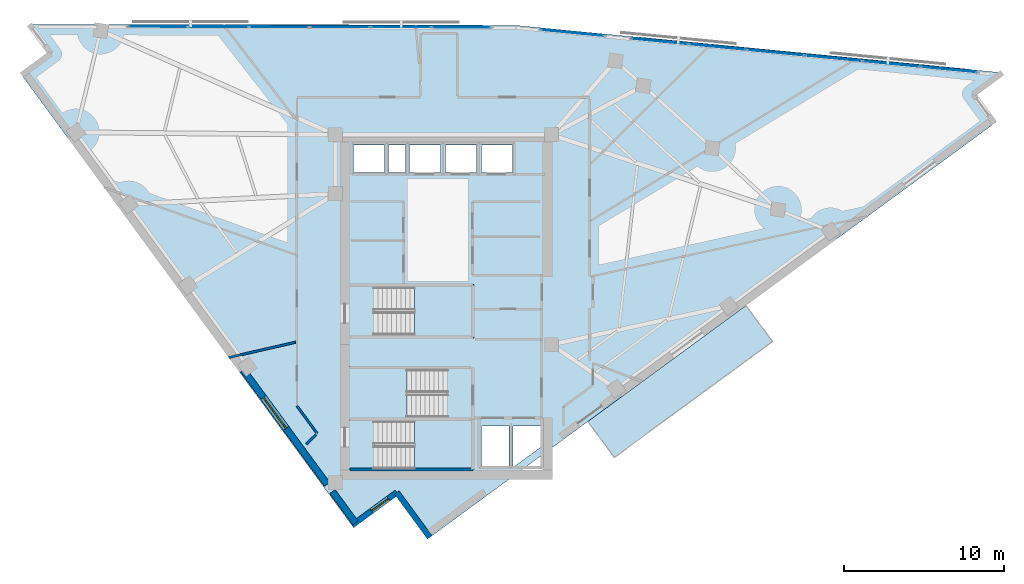
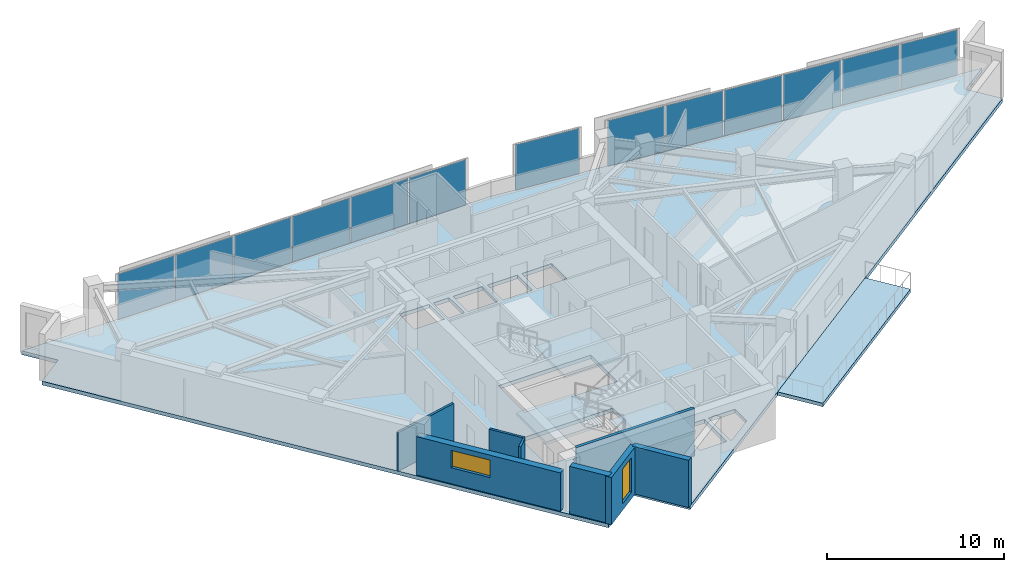
# One storey, part 7 of 13: 15 plates, 8 walls, 5 slabs, 2 windows, 2 openings, 6 elements without a shape of their own.
"""IFC4 building model written with IfcOpenShell, lengths in metres."""

from ifc_helpers import new_model, si_unit, direction, frame, frame_2d, origin, origin_2d, place, context, subcontext, project, spatial, polyline, rectangle, outline, extrude, material, layer, layer_set, type_object, element, fill, aggregate, save


model = new_model("IFC4")

# Units and contexts
model_context = context("Model", 3, precision=1e-05, world=origin(), true_north=direction((0.0, 1.0)))
body_context = subcontext(model_context, "Body", "Model", "MODEL_VIEW")
ifc_project = project(units=[si_unit("LENGTHUNIT", "METRE"), si_unit("AREAUNIT", "SQUARE_METRE"), si_unit("VOLUMEUNIT", "CUBIC_METRE"), si_unit("PLANEANGLEUNIT", "RADIAN"), si_unit("MASSUNIT", "GRAM", prefix="KILO")], contexts=[model_context])

# Site, building, storey
site_placement = place(None, origin())
site = spatial("IfcSite", under=ifc_project, at=site_placement, CompositionType="ELEMENT")
building_placement = place(site_placement, origin())
building = spatial("IfcBuilding", under=site, at=building_placement, Name="Narakoshi Arena Tower", CompositionType="ELEMENT")
storey_placement = place(building_placement, frame((0.0, 0.0, 232.580078125)))
storey = spatial("IfcBuildingStorey", under=building, at=storey_placement, Name="L63", CompositionType="ELEMENT", Elevation=232.580078125)

# Curtain wall, plates
ifc_material_1 = material(Name="Anodised bronze aluminium 6063-T6", Category="aluminium")
curtain_wall_type = type_object("IfcCurtainWallType", Name="CW-HYP-HIGH", PredefinedType="NOTDEFINED", material=ifc_material_1)
curtain_wall_1_placement = place(storey_placement, origin())
curtain_wall_1 = element("IfcCurtainWall", 1, at=curtain_wall_1_placement, inside=storey, type_object=curtain_wall_type, Name="L63 Folded Hypotenuse Curtain Wall 1-1", PredefinedType="NOTDEFINED")
ifc_material_2 = material(Name="Bronze-tinted low-E laminated glass", Category="glass")
ifc_layer_1 = layer(ifc_material_2, 0.0439453125)
ifc_layer_set_1 = layer_set([ifc_layer_1], Name="Bronze-tinted low-E laminated glass")
plate_type_1 = type_object("IfcPlateType", Name="PLT-GLZ-44", PredefinedType="CURTAIN_PANEL", material=ifc_layer_set_1)
plate_1_placement = place(storey_placement, frame((110.45458984375, 60.593505859375, 0.06494140625), z_axis=(0.0, 0.0, 1.0), x_axis=(-0.995298860454, 0.096851320996, 0.0)))
plate_1 = element("IfcPlate", 2, at=plate_1_placement, type_object=plate_type_1, Name="CW-03 panel 1.1", PredefinedType="CURTAIN_PANEL", context=body_context, shape_type="SweptSolid", body=[
    extrude(rectangle(XDim=3.52880859375, YDim=0.0439453125, at=origin_2d()), origin(), (0.0, 0.0, 1.0), 3.1298828125),
])
plate_2_placement = place(storey_placement, frame((106.8427734375, 60.945068359375, 0.06494140625), z_axis=(0.0, 0.0, 1.0), x_axis=(-0.995298860454, 0.096851320996, 0.0)))
plate_2 = element("IfcPlate", 3, at=plate_2_placement, type_object=plate_type_1, Name="CW-03 panel 2.1", PredefinedType="CURTAIN_PANEL", context=body_context, shape_type="SweptSolid", body=[
    extrude(rectangle(XDim=3.568603515625, YDim=0.0439453125, at=origin_2d()), origin(), (0.0, 0.0, 1.0), 3.1298828125),
])
plate_3_placement = place(storey_placement, frame((103.211181640625, 61.29833984375, 0.06494140625), z_axis=(0.0, 0.0, 1.0), x_axis=(-0.995298860454, 0.096851320996, 0.0)))
plate_3 = element("IfcPlate", 4, at=plate_3_placement, type_object=plate_type_1, Name="CW-03 panel 3.1", PredefinedType="CURTAIN_PANEL", context=body_context, shape_type="SweptSolid", body=[
    extrude(rectangle(XDim=3.568603515625, YDim=0.0439453125, at=origin_2d()), origin(), (0.0, 0.0, 1.0), 3.1298828125),
])
plate_4_placement = place(storey_placement, frame((99.579833984375, 61.65185546875, 0.06494140625), z_axis=(0.0, 0.0, 1.0), x_axis=(-0.995298860454, 0.096851320996, 0.0)))
plate_4 = element("IfcPlate", 5, at=plate_4_placement, type_object=plate_type_1, Name="CW-03 panel 4.1", PredefinedType="CURTAIN_PANEL", context=body_context, shape_type="SweptSolid", body=[
    extrude(rectangle(XDim=3.568603515625, YDim=0.0439453125, at=origin_2d()), origin(), (0.0, 0.0, 1.0), 3.1298828125),
])
plate_5_placement = place(storey_placement, frame((95.9482421875, 62.005126953125, 0.06494140625), z_axis=(0.0, 0.0, 1.0), x_axis=(-0.995298860454, 0.096851320996, 0.0)))
plate_5 = element("IfcPlate", 6, at=plate_5_placement, type_object=plate_type_1, Name="CW-03 panel 5.1", PredefinedType="CURTAIN_PANEL", context=body_context, shape_type="SweptSolid", body=[
    extrude(rectangle(XDim=3.568603515625, YDim=0.0439453125, at=origin_2d()), origin(), (0.0, 0.0, 1.0), 3.1298828125),
])
plate_6_placement = place(storey_placement, frame((92.33642578125, 62.356689453125, 0.06494140625), z_axis=(0.0, 0.0, 1.0), x_axis=(-0.995298860454, 0.096851320996, 0.0)))
plate_6 = element("IfcPlate", 7, at=plate_6_placement, type_object=plate_type_1, Name="CW-03 panel 6.1", PredefinedType="CURTAIN_PANEL", context=body_context, shape_type="SweptSolid", body=[
    extrude(rectangle(XDim=3.52880859375, YDim=0.0439453125, at=origin_2d()), origin(), (0.0, 0.0, 1.0), 3.1298828125),
])
aggregate(curtain_wall_1, [plate_1, plate_2, plate_3, plate_4, plate_5, plate_6])

# Curtain wall, plate
curtain_wall_2_placement = place(storey_placement, origin())
curtain_wall_2 = element("IfcCurtainWall", 8, at=curtain_wall_2_placement, inside=storey, type_object=curtain_wall_type, Name="L63 Folded Hypotenuse Curtain Wall 1-2", PredefinedType="NOTDEFINED")
plate_7_placement = place(storey_placement, frame((86.862060546875, 62.889404296875, 0.06494140625), z_axis=(0.0, 0.0, 1.0), x_axis=(-0.995299683896, 0.096842858471, 0.0)))
plate_7 = element("IfcPlate", 9, at=plate_7_placement, type_object=plate_type_1, Name="CW-03 panel 1.1", PredefinedType="CURTAIN_PANEL", context=body_context, shape_type="SweptSolid", body=[
    extrude(rectangle(XDim=3.9560546875, YDim=0.0439453125, at=origin_2d()), origin(), (0.0, 0.0, 1.0), 3.1298828125),
])
aggregate(curtain_wall_2, [plate_7])

# Curtain wall, plates
curtain_wall_3_placement = place(storey_placement, origin())
curtain_wall_3 = element("IfcCurtainWall", 10, at=curtain_wall_3_placement, inside=storey, type_object=curtain_wall_type, Name="L63 Folded Hypotenuse Curtain Wall 2-1", PredefinedType="NOTDEFINED")
plate_8_placement = place(storey_placement, frame((79.907470703125, 63.239501953125, 0.06494140625), z_axis=(0.0, 0.0, 1.0), x_axis=(-0.999998343986, 0.001819896899, 0.0)))
plate_8 = element("IfcPlate", 11, at=plate_8_placement, type_object=plate_type_1, Name="CW-03 panel 1.1", PredefinedType="CURTAIN_PANEL", context=body_context, shape_type="SweptSolid", body=[
    extrude(rectangle(XDim=3.689697265625, YDim=0.0439453125, at=origin_2d()), origin(), (0.0, 0.0, 1.0), 3.1298828125),
])
plate_9_placement = place(storey_placement, frame((76.11767578125, 63.246337890625, 0.06494140625), z_axis=(0.0, 0.0, 1.0), x_axis=(-0.999998343986, 0.001819896899, 0.0)))
plate_9 = element("IfcPlate", 12, at=plate_9_placement, type_object=plate_type_1, Name="CW-03 panel 2.1", PredefinedType="CURTAIN_PANEL", context=body_context, shape_type="SweptSolid", body=[
    extrude(rectangle(XDim=3.729736328125, YDim=0.0439453125, at=origin_2d()), origin(), (0.0, 0.0, 1.0), 3.1298828125),
])
plate_10_placement = place(storey_placement, frame((72.307861328125, 63.25341796875, 0.06494140625), z_axis=(0.0, 0.0, 1.0), x_axis=(-0.999998343986, 0.001819896899, 0.0)))
plate_10 = element("IfcPlate", 13, at=plate_10_placement, type_object=plate_type_1, Name="CW-03 panel 3.1", PredefinedType="CURTAIN_PANEL", context=body_context, shape_type="SweptSolid", body=[
    extrude(rectangle(XDim=3.729736328125, YDim=0.0439453125, at=origin_2d()), origin(), (0.0, 0.0, 1.0), 3.1298828125),
])
plate_11_placement = place(storey_placement, frame((68.498291015625, 63.26025390625, 0.06494140625), z_axis=(0.0, 0.0, 1.0), x_axis=(-0.999998343986, 0.001819896899, 0.0)))
plate_11 = element("IfcPlate", 14, at=plate_11_placement, type_object=plate_type_1, Name="CW-03 panel 4.1", PredefinedType="CURTAIN_PANEL", context=body_context, shape_type="SweptSolid", body=[
    extrude(rectangle(XDim=3.729736328125, YDim=0.0439453125, at=origin_2d()), origin(), (0.0, 0.0, 1.0), 3.1298828125),
])
plate_12_placement = place(storey_placement, frame((64.6884765625, 63.26708984375, 0.06494140625), z_axis=(0.0, 0.0, 1.0), x_axis=(-0.999998343986, 0.001819896899, 0.0)))
plate_12 = element("IfcPlate", 15, at=plate_12_placement, type_object=plate_type_1, Name="CW-03 panel 5.1", PredefinedType="CURTAIN_PANEL", context=body_context, shape_type="SweptSolid", body=[
    extrude(rectangle(XDim=3.729736328125, YDim=0.0439453125, at=origin_2d()), origin(), (0.0, 0.0, 1.0), 3.1298828125),
])
plate_13_placement = place(storey_placement, frame((60.898681640625, 63.274169921875, 0.06494140625), z_axis=(0.0, 0.0, 1.0), x_axis=(-0.999998343986, 0.001819896899, 0.0)))
plate_13 = element("IfcPlate", 16, at=plate_13_placement, type_object=plate_type_1, Name="CW-03 panel 6.1", PredefinedType="CURTAIN_PANEL", context=body_context, shape_type="SweptSolid", body=[
    extrude(rectangle(XDim=3.689697265625, YDim=0.0439453125, at=origin_2d()), origin(), (0.0, 0.0, 1.0), 3.1298828125),
])
aggregate(curtain_wall_3, [plate_8, plate_9, plate_10, plate_11, plate_12, plate_13])

# Plates
ifc_layer_2 = layer(ifc_material_1, 0.090087890625)
ifc_layer_set_2 = layer_set([ifc_layer_2], Name="Anodised bronze aluminium 6063-T6")
plate_type_2 = type_object("IfcPlateType", Name="PLT-SPD-90", PredefinedType="SHEET", material=ifc_layer_set_2)
plate_14_placement = place(storey_placement, frame((101.3642578125, 61.55859375, -0.3701171875), z_axis=(0.0, 0.0, 1.0), x_axis=(-0.995298664587, 0.096853333819, 0.0)))
element("IfcPlate", 17, at=plate_14_placement, inside=storey, type_object=plate_type_2, Name="L63 Transfer Fascia Bronze Spandrel Panel 1", PredefinedType="SHEET", context=body_context, shape_type="SweptSolid", body=[
    extrude(rectangle(XDim=20.770751953125, YDim=0.090087890625, at=origin_2d()), origin(), (0.0, 0.0, 1.0), 0.3798828125),
])
plate_15_placement = place(storey_placement, frame((70.17822265625, 63.337158203125, -0.3701171875), z_axis=(0.0, 0.0, 1.0), x_axis=(-0.999998352629, 0.001815141425, 0.0)))
element("IfcPlate", 18, at=plate_15_placement, inside=storey, type_object=plate_type_2, Name="L63 Transfer Fascia Bronze Spandrel Panel 2", PredefinedType="SHEET", context=body_context, shape_type="SweptSolid", body=[
    extrude(rectangle(XDim=22.1083984375, YDim=0.090087890625, at=origin_2d()), origin(), (0.0, 0.0, 1.0), 0.3798828125),
])

# Stair, slab
ifc_material_3 = material(Name="Concrete C45/55", Category="concrete")
stair_type = type_object("IfcStairType", Name="STR-CORE-352", PredefinedType="TWO_STRAIGHT_RUN_STAIR", material=ifc_material_3)
stair_1_placement = place(storey_placement, origin())
stair_1 = element("IfcStair", 19, at=stair_1_placement, inside=storey, type_object=stair_type, Name="L63 Core Escape Stair ST1", PredefinedType="TWO_STRAIGHT_RUN_STAIR")
ifc_layer_3 = layer(ifc_material_3, 0.18994140625)
ifc_layer_set_3 = layer_set([ifc_layer_3], Name="Concrete C45/55")
slab_type_1 = type_object("IfcSlabType", Name="SLB-LND-190", PredefinedType="LANDING", material=ifc_layer_set_3)
slab_1_placement = place(storey_placement, frame((0.0, 0.0, 1.56982421875)))
slab_1 = element("IfcSlab", 20, at=slab_1_placement, type_object=slab_type_1, Name="ST1 landing 1", PredefinedType="LANDING", context=body_context, shape_type="SweptSolid", body=[
    extrude(outline(polyline([(76.965087890625, 35.3701171875), (80.679931640625, 35.3701171875), (80.679931640625, 38.72998046875), (76.965087890625, 38.72998046875), (76.965087890625, 35.3701171875)])), origin(), (0.0, 0.0, 1.0), 0.190185546875),
])
aggregate(stair_1, [slab_1])

stair_2_placement = place(storey_placement, origin())
stair_2 = element("IfcStair", 21, at=stair_2_placement, inside=storey, type_object=stair_type, Name="L63 Core Escape Stair ST2", PredefinedType="TWO_STRAIGHT_RUN_STAIR")
slab_2_placement = place(storey_placement, frame((0.0, 0.0, 1.56982421875)))
slab_2 = element("IfcSlab", 22, at=slab_2_placement, type_object=slab_type_1, Name="ST2 landing 1", PredefinedType="LANDING", context=body_context, shape_type="SweptSolid", body=[
    extrude(outline(polyline([(72.77001953125, 38.6201171875), (76.485107421875, 38.6201171875), (76.485107421875, 41.97998046875), (72.77001953125, 41.97998046875), (72.77001953125, 38.6201171875)])), origin(), (0.0, 0.0, 1.0), 0.190185546875),
])
aggregate(stair_2, [slab_2])

stair_3_placement = place(storey_placement, origin())
stair_3 = element("IfcStair", 23, at=stair_3_placement, inside=storey, type_object=stair_type, Name="L63 Core Escape Stair ST3", PredefinedType="TWO_STRAIGHT_RUN_STAIR")
slab_3_placement = place(storey_placement, frame((0.0, 0.0, 1.56982421875)))
slab_3 = element("IfcSlab", 24, at=slab_3_placement, type_object=slab_type_1, Name="ST3 landing 1", PredefinedType="LANDING", context=body_context, shape_type="SweptSolid", body=[
    extrude(outline(polyline([(76.965087890625, 43.77001953125), (80.679931640625, 43.77001953125), (80.679931640625, 47.1298828125), (76.965087890625, 47.1298828125), (76.965087890625, 43.77001953125)])), origin(), (0.0, 0.0, 1.0), 0.190185546875),
])
aggregate(stair_3, [slab_3])

# Slabs
ifc_material_4 = material(Name="Concrete C50/60", Category="concrete")
ifc_layer_4 = layer(ifc_material_4, 0.260009765625)
ifc_layer_set_4 = layer_set([ifc_layer_4], Name="Concrete C50/60")
slab_type_2 = type_object("IfcSlabType", Name="SLB-SKY-260", PredefinedType="FLOOR", material=ifc_layer_set_4)
slab_4_placement = place(storey_placement, frame((0.0, 0.0, -0.260009765625)))
element("IfcSlab", 25, at=slab_4_placement, inside=storey, type_object=slab_type_2, Name="L63 Structural Floor Slab", PredefinedType="FLOOR", context=body_context, shape_type="SweptSolid", body=[
    extrude(outline(polyline([(77.922607421875, 31.273193359375), (113.306640625, 57.218017578125), (111.96533203125, 59.047607421875), (113.794921875, 60.38916015625), (83.33251953125, 63.353271484375), (52.84521484375, 63.40869140625), (54.1865234375, 61.5791015625), (52.357177734375, 60.23779296875), (73.044189453125, 32.024169921875), (75.858642578125, 34.087890625), (77.922607421875, 31.273193359375)]), holes=[polyline([(80.5, 35.550048828125), (74.47998046875, 35.550048828125), (74.47998046875, 38.550048828125), (80.5, 38.550048828125), (80.5, 35.550048828125)]), polyline([(82.89990234375, 35.75), (81.14990234375, 35.75), (81.14990234375, 38.25), (82.89990234375, 38.25), (82.89990234375, 35.75)]), polyline([(84.89990234375, 36.947509765625), (83.266845703125, 35.75), (83.14990234375, 35.75), (83.14990234375, 38.25), (84.89990234375, 38.25), (84.89990234375, 36.947509765625)]), polyline([(72.949951171875, 38.800048828125), (72.949951171875, 41.800048828125), (78.969970703125, 41.800048828125), (78.969970703125, 38.800048828125), (72.949951171875, 38.800048828125)]), polyline([(74.47998046875, 43.949951171875), (74.47998046875, 46.949951171875), (80.5, 46.949951171875), (80.5, 43.949951171875), (74.47998046875, 43.949951171875)]), polyline([(75.10009765625, 54.14990234375), (73.14990234375, 54.14990234375), (73.14990234375, 55.85009765625), (75.10009765625, 55.85009765625), (75.10009765625, 54.14990234375)]), polyline([(76.39990234375, 54.14990234375), (75.35009765625, 54.14990234375), (75.35009765625, 55.85009765625), (76.39990234375, 55.85009765625), (76.39990234375, 54.14990234375)]), polyline([(78.60009765625, 54.14990234375), (76.64990234375, 54.14990234375), (76.64990234375, 55.85009765625), (78.60009765625, 55.85009765625), (78.60009765625, 54.14990234375)]), polyline([(78.89990234375, 54.14990234375), (78.89990234375, 55.85009765625), (80.85009765625, 55.85009765625), (80.85009765625, 54.14990234375), (78.89990234375, 54.14990234375)]), polyline([(81.14990234375, 54.14990234375), (81.14990234375, 55.85009765625), (83.10009765625, 55.85009765625), (83.10009765625, 54.14990234375), (81.14990234375, 54.14990234375)])]), origin(), (0.0, 0.0, 1.0), 0.260009765625),
])
ifc_layer_5 = layer(ifc_material_3, 0.239990234375)
ifc_layer_set_5 = layer_set([ifc_layer_5], Name="Concrete C45/55")
slab_type_3 = type_object("IfcSlabType", Name="SLB-TERR-240", PredefinedType="ROOF", material=ifc_layer_set_5)
slab_5_placement = place(storey_placement, frame((0.0, 0.0, -0.239990234375)))
element("IfcSlab", 26, at=slab_5_placement, inside=storey, type_object=slab_type_3, Name="L63 Walkable Setback Sky Terrace Slab", PredefinedType="ROOF", context=body_context, shape_type="SweptSolid", body=[
    extrude(outline(polyline([(87.830078125, 38.537841796875), (89.485595703125, 36.27978515625), (99.393310546875, 43.544189453125), (97.73779296875, 45.802490234375), (87.830078125, 38.537841796875)])), origin(), (0.0, 0.0, 1.0), 0.239990234375),
])

# Wall, opening, window
ifc_material_5 = material(Name="Precast concrete C45/55", Category="concrete")
ifc_layer_6 = layer(ifc_material_5, 0.419921875)
ifc_layer_set_6 = layer_set([ifc_layer_6], Name="Precast concrete C45/55")
wall_type_1 = type_object("IfcWallType", Name="WL-POD-420", PredefinedType="SOLIDWALL", material=ifc_layer_set_6)
wall_1_placement = place(storey_placement, frame((66.232421875, 41.779296875, 0.0), z_axis=(0.0, 0.0, 1.0), x_axis=(0.591309008949, -0.806445073105, 0.0)))
wall_1 = element("IfcWall", 27, at=wall_1_placement, inside=storey, type_object=wall_type_1, Name="L63 Architectural Concrete Facade Wall LEGB-3", PredefinedType="SOLIDWALL", context=body_context, shape_type="SweptSolid", body=[
    extrude(rectangle(XDim=8.908447265625, YDim=0.419921875, at=frame_2d((4.4541015625, 0.0))), origin(), (0.0, 0.0, 1.0), 2.64501953125),
])
opening_1_placement = place(wall_1_placement, frame((2.14892578125, 0.0, 1.10009765625)))
opening_1 = element("IfcOpeningElement", 28, at=opening_1_placement, cuts=wall_1, Name="Opening WN-04", PredefinedType="OPENING", context=body_context, shape_type="SweptSolid", body=[
    extrude(rectangle(XDim=2.39990234375, YDim=1.199951171875, at=frame_2d((1.199951171875, 0.60009765625))), frame((0.0, 0.219970703125, 0.0), z_axis=(0.0, -1.0, 0.0), x_axis=(1.0, 0.0, 0.0)), (0.0, 0.0, 1.0), 0.43994140625),
])
window_type_1 = type_object("IfcWindowType", Name="WIN-SLT-24x12", PartitioningType="SINGLE_PANEL", PredefinedType="WINDOW", material=ifc_material_2)
window_1_placement = place(opening_1_placement, origin())
window_1 = element("IfcWindow", 29, at=window_1_placement, inside=storey, type_object=window_type_1, Name="L63 LEGB3 Horizontal Slot Window 1", OverallHeight=1.199951171875, OverallWidth=2.39990234375, PartitioningType="SINGLE_PANEL", PredefinedType="WINDOW", context=body_context, shape_type="SweptSolid", body=[
    extrude(rectangle(XDim=2.39990234375, YDim=1.199951171875, at=frame_2d((1.199951171875, 0.60009765625))), frame((0.0, 0.030029296875, 0.0), z_axis=(0.0, -1.0, 0.0), x_axis=(1.0, 0.0, 0.0)), (0.0, 0.0, 1.0), 0.06005859375),
])
fill(opening_1, window_1)

# Wall
wall_2_placement = place(storey_placement, frame((71.826416015625, 34.14990234375, 0.0), z_axis=(0.0, 0.0, 1.0), x_axis=(0.591315835946, -0.806440067308, 0.0)))
element("IfcWall", 30, at=wall_2_placement, inside=storey, type_object=wall_type_1, Name="L63 Architectural Concrete Facade Wall LEGB-4", PredefinedType="SOLIDWALL", context=body_context, shape_type="SweptSolid", body=[
    extrude(rectangle(XDim=2.434326171875, YDim=0.419921875, at=frame_2d((1.21728515625, 0.0))), origin(), (0.0, 0.0, 1.0), 3.260009765625),
])

# Wall, opening, window
wall_3_placement = place(storey_placement, frame((73.044189453125, 32.024169921875, 0.0), z_axis=(0.0, 0.0, 1.0), x_axis=(0.806433906667, 0.591324237774, 0.0)))
wall_3 = element("IfcWall", 31, at=wall_3_placement, inside=storey, type_object=wall_type_1, Name="L63 Re-Entrant Corner Notch Wall NTA-1", PredefinedType="SOLIDWALL", context=body_context, shape_type="SweptSolid", body=[
    extrude(rectangle(XDim=3.489990234375, YDim=0.360107421875, at=frame_2d((1.7451171875, 0.0))), origin(), (0.0, 0.0, 1.0), 3.260009765625),
])
opening_2_placement = place(wall_3_placement, frame((1.535400390625, 0.0, 0.449951171875)))
opening_2 = element("IfcOpeningElement", 32, at=opening_2_placement, cuts=wall_3, Name="Opening WN-06", PredefinedType="OPENING", context=body_context, shape_type="SweptSolid", body=[
    extrude(rectangle(XDim=1.300048828125, YDim=2.39990234375, at=frame_2d((0.64990234375, 1.199951171875))), frame((0.0, 0.18994140625, 0.0), z_axis=(0.0, -1.0, 0.0), x_axis=(1.0, 0.0, 0.0)), (0.0, 0.0, 1.0), 0.380126953125),
])
window_type_2 = type_object("IfcWindowType", Name="WIN-NTC-16x24", PartitioningType="SINGLE_PANEL", PredefinedType="WINDOW", material=ifc_material_2)
window_2_placement = place(opening_2_placement, origin())
window_2 = element("IfcWindow", 33, at=window_2_placement, inside=storey, type_object=window_type_2, Name="L63 Corner Notch Window NTA", OverallHeight=2.39990234375, OverallWidth=1.300048828125, PartitioningType="SINGLE_PANEL", PredefinedType="WINDOW", context=body_context, shape_type="SweptSolid", body=[
    extrude(rectangle(XDim=1.300048828125, YDim=2.39990234375, at=frame_2d((0.64990234375, 1.199951171875))), frame((0.0, 0.030029296875, 0.0), z_axis=(0.0, -1.0, 0.0), x_axis=(1.0, 0.0, 0.0)), (0.0, 0.0, 1.0), 0.06005859375),
])
fill(opening_2, window_2)

# Walls
wall_4_placement = place(storey_placement, frame((75.858642578125, 34.087890625, 0.0), z_axis=(0.0, 0.0, 1.0), x_axis=(0.591336371625, -0.806425009281, 0.0)))
element("IfcWall", 34, at=wall_4_placement, inside=storey, type_object=wall_type_1, Name="L63 Re-Entrant Corner Notch Wall NTA-2", PredefinedType="SOLIDWALL", context=body_context, shape_type="SweptSolid", body=[
    extrude(rectangle(XDim=3.490234375, YDim=0.360107421875, at=frame_2d((1.7451171875, 0.0))), origin(), (0.0, 0.0, 1.0), 3.260009765625),
])
ifc_layer_7 = layer(ifc_material_4, 0.35009765625)
ifc_layer_set_7 = layer_set([ifc_layer_7], Name="Concrete C50/60")
wall_type_2 = type_object("IfcWallType", Name="WL-SHAFT-350", PredefinedType="SOLIDWALL", material=ifc_layer_set_7)
wall_5_placement = place(storey_placement, frame((72.919921875, 35.52001953125, -0.260009765625), z_axis=(0.0, 0.0, 1.0), x_axis=(1.0, 0.0, 0.0)))
element("IfcWall", 35, at=wall_5_placement, inside=storey, type_object=wall_type_2, Name="L63 Core Wall ST1-S", PredefinedType="SOLIDWALL", context=body_context, shape_type="SweptSolid", body=[
    extrude(rectangle(XDim=7.7001953125, YDim=0.199951171875, at=frame_2d((3.85009765625, 0.0))), origin(), (0.0, 0.0, 1.0), 3.52001953125),
])
ifc_material_6 = material(Name="Moisture-resistant cement-board partition")
ifc_layer_8 = layer(ifc_material_6, 0.14501953125)
ifc_layer_set_8 = layer_set([ifc_layer_8], Name="Moisture-resistant cement-board partition")
wall_type_3 = type_object("IfcWallType", Name="WL-WET-145", PredefinedType="PARTITIONING", material=ifc_layer_set_8)
wall_6_placement = place(storey_placement, frame((69.60009765625, 39.51171875, 0.0), z_axis=(0.0, 0.0, 1.0), x_axis=(0.5912600426, -0.806480974372, 0.0)))
element("IfcWall", 36, at=wall_6_placement, inside=storey, type_object=wall_type_3, Name="L63 Corridor Partition 01-2", PredefinedType="PARTITIONING", context=body_context, shape_type="SweptSolid", body=[
    extrude(rectangle(XDim=2.14501953125, YDim=0.14501953125, at=frame_2d((1.072509765625, 0.0))), origin(), (0.0, 0.0, 1.0), 3.260009765625),
])
wall_7_placement = place(storey_placement, frame((65.330810546875, 42.5439453125, 0.0), z_axis=(0.0, 0.0, 1.0), x_axis=(0.974854976518, 0.222840244924, 0.0)))
element("IfcWall", 37, at=wall_7_placement, inside=storey, type_object=wall_type_3, Name="L63 Inter-Room Partition 01-09", PredefinedType="PARTITIONING", context=body_context, shape_type="SweptSolid", body=[
    extrude(rectangle(XDim=4.29248046875, YDim=0.14501953125, at=frame_2d((2.146240234375, 0.0))), origin(), (0.0, 0.0, 1.0), 2.64501953125),
])
wall_8_placement = place(storey_placement, frame((70.825439453125, 37.739013671875, 0.0), z_axis=(0.0, 0.0, 1.0), x_axis=(-0.711459757435, -0.702726841348, 0.0)))
element("IfcWall", 38, at=wall_8_placement, inside=storey, type_object=wall_type_3, Name="L63 Room Enclosure Partition 01-1", PredefinedType="PARTITIONING", context=body_context, shape_type="SweptSolid", body=[
    extrude(rectangle(XDim=0.89453125, YDim=0.14501953125, at=frame_2d((0.447265625, 0.0))), origin(), (0.0, 0.0, 1.0), 3.260009765625),
])

save(model, "model.ifc")
